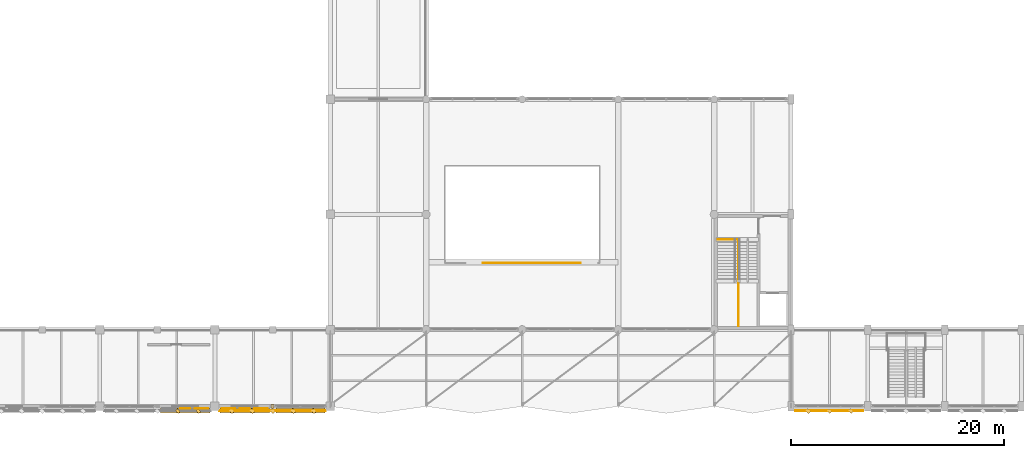
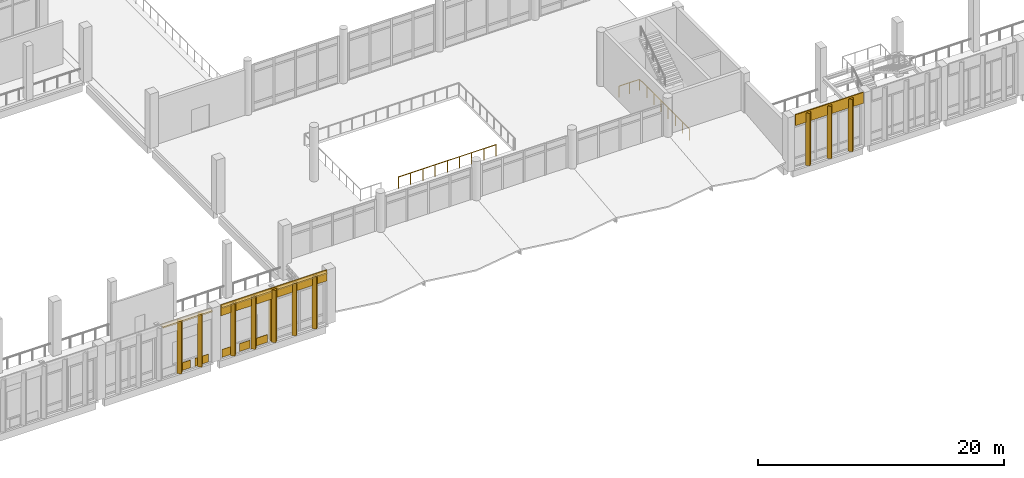
# One storey, part 167 of 180: 21 coverings, 2 railings.
"""IFC4 building model written with IfcOpenShell, lengths in metres."""

from ifc_helpers import new_model, si_unit, direction, frame, origin, origin_2d, place, context, subcontext, project, spatial, rectangle, circle, extrude, material, layer, layer_set, type_object, element, save


model = new_model("IFC4")

# Units and contexts
model_context = context("Model", 3, precision=1e-05, world=origin(), true_north=direction((0.0, 1.0)))
body_context = subcontext(model_context, "Body", "Model", "MODEL_VIEW")
ifc_project = project(units=[si_unit("LENGTHUNIT", "METRE"), si_unit("AREAUNIT", "SQUARE_METRE"), si_unit("VOLUMEUNIT", "CUBIC_METRE"), si_unit("PLANEANGLEUNIT", "RADIAN"), si_unit("MASSUNIT", "GRAM", prefix="KILO")], contexts=[model_context])

# Site, building, storey
site_placement = place(None, origin())
site = spatial("IfcSite", under=ifc_project, at=site_placement, CompositionType="ELEMENT")
building_placement = place(site_placement, origin())
building = spatial("IfcBuilding", under=site, at=building_placement, Name="Lusvemor Sports Hall", CompositionType="ELEMENT")
storey_placement = place(building_placement, frame((0.0, 0.0, 5.39990234375)))
storey = spatial("IfcBuildingStorey", under=building, at=storey_placement, Name="L01", CompositionType="ELEMENT", Elevation=5.39990234375)

# Coverings
ifc_material_1 = material(Name="Precast granite-faced Concrete C40/50 architectural cladding", Category="masonry")
ifc_layer_1 = layer(ifc_material_1, 0.055908203125)
ifc_layer_set_1 = layer_set([ifc_layer_1], Name="Precast granite-faced Concrete C40/50 architectural cladding")
covering_type_1 = type_object("IfcCoveringType", Name="CLAD_RELIEF_FRIEZE", PredefinedType="CLADDING", material=ifc_layer_set_1)
covering_1_placement = place(storey_placement, frame((70.199951171875, 0.0, 0.0), z_axis=(0.0, 0.0, 1.0), x_axis=(1.0, 0.0, 0.0)))
element("IfcCovering", 1, at=covering_1_placement, inside=storey, type_object=covering_type_1, Name="Boulevard L01 Pilaster Pier Casing S6", PredefinedType="CLADDING", context=body_context, shape_type="SweptSolid", body=[
    extrude(rectangle(XDim=0.27001953125, YDim=0.3798828125, at=origin_2d()), origin(), (0.0, 0.0, 1.0), 4.699951171875),
])
ifc_material_2 = material(Name="Emerald polychrome glazed ceramic cladding on Concrete C40/50 backing", Category="concrete")
ifc_layer_2 = layer(ifc_material_2, 0.0458984375)
ifc_layer_set_2 = layer_set([ifc_layer_2], Name="Emerald polychrome glazed ceramic cladding on Concrete C40/50 backing")
covering_type_2 = type_object("IfcCoveringType", Name="CLAD_WAVE_EMERALD", PredefinedType="CLADDING", material=ifc_layer_set_2)
for number, where, z_axis, x_axis, name in (
    (2, (63.530029296875, -0.1904296875, 0.050048828125), (0.0, 0.0, 1.0), (1.0, 0.0, 0.0), "Art Nouveau Patterned Cladding PS-V1S1-5-2-3"),
    (3, (66.070068359375, -0.1904296875, 0.050048828125), (0.0, 0.0, 1.0), (1.0, 0.0, 0.0), "Art Nouveau Patterned Cladding PS-V1S1-6-1-1"),
    (4, (69.110107421875, -0.1904296875, 0.050048828125), (0.0, 0.0, 1.0), (1.0, 0.0, 0.0), "Art Nouveau Patterned Cladding PS-V1S1-6-1-3"),
):
    element("IfcCovering", number, at=place(storey_placement, frame(where, z_axis=z_axis, x_axis=x_axis)), inside=storey, type_object=covering_type_2, Name=name, PredefinedType="CLADDING", context=body_context, shape_type="SweptSolid", body=[
        extrude(rectangle(XDim=1.246337890625, YDim=0.0458984375, at=origin_2d()), origin(), (0.0, 0.0, 1.0), 0.77001953125),
    ])
for number, where, z_axis, x_axis, name in (
    (5, (61.320068359375, -0.43994140625, 0.10009765625), (0.0, 0.0, 1.0), (0.707106781187, 0.707106781187, 0.0), "Patterned Diamond Cladding Rib 109"),
    (6, (68.280029296875, -0.43994140625, 0.10009765625), (0.0, 0.0, 1.0), (0.707106781187, 0.707106781187, 0.0), "Patterned Diamond Cladding Rib 125"),
    (7, (72.1201171875, -0.43994140625, 0.10009765625), (0.0, 0.0, 1.0), (0.707106781187, 0.707106781187, 0.0), "Patterned Diamond Cladding Rib 127"),
    (8, (122.39990234375, -0.43994140625, 0.10009765625), (0.0, 0.0, 1.0), (0.707106781187, 0.707106781187, 0.0), "Patterned Diamond Cladding Rib 150"),
):
    element("IfcCovering", number, at=place(storey_placement, frame(where, z_axis=z_axis, x_axis=x_axis)), inside=storey, type_object=covering_type_2, Name=name, PredefinedType="CLADDING", context=body_context, shape_type="SweptSolid", body=[
        extrude(rectangle(XDim=0.280029296875, YDim=0.3798828125, at=origin_2d()), origin(), (0.0, 0.0, 1.0), 5.199951171875),
    ])
ifc_material_3 = material(Name="Warm terracotta Art Nouveau ceramic cladding on Concrete C40/50 backing", Category="masonry")
ifc_layer_3 = layer(ifc_material_3, 0.0380859375)
ifc_layer_set_3 = layer_set([ifc_layer_3], Name="Warm terracotta Art Nouveau ceramic cladding on Concrete C40/50 backing")
covering_type_3 = type_object("IfcCoveringType", Name="CLAD_WAVE_OCHRE", PredefinedType="CLADDING", material=ifc_layer_set_3)
for number, where, z_axis, x_axis, name in (
    (9, (62.010009765625, -0.1865234375, 0.050048828125), (0.0, 0.0, 1.0), (1.0, 0.0, 0.0), "Art Nouveau Patterned Cladding PS-V1S1-5-2-2"),
    (10, (67.590087890625, -0.1865234375, 0.050048828125), (0.0, 0.0, 1.0), (1.0, 0.0, 0.0), "Art Nouveau Patterned Cladding PS-V1S1-6-1-2"),
):
    element("IfcCovering", number, at=place(storey_placement, frame(where, z_axis=z_axis, x_axis=x_axis)), inside=storey, type_object=covering_type_3, Name=name, PredefinedType="CLADDING", context=body_context, shape_type="SweptSolid", body=[
        extrude(rectangle(XDim=0.972900390625, YDim=0.0380859375, at=origin_2d()), origin(), (0.0, 0.0, 1.0), 0.77001953125),
    ])
covering_2_placement = place(storey_placement, frame((70.199951171875, -0.389892578125, 4.380126953125), z_axis=(0.0, 0.0, 1.0), x_axis=(1.0, 0.0, 0.0)))
element("IfcCovering", 11, at=covering_2_placement, inside=storey, type_object=covering_type_3, Name="Art Nouveau Spandrel Cornice 123", PredefinedType="CLADDING", context=body_context, shape_type="SweptSolid", body=[
    extrude(rectangle(XDim=9.97998046875, YDim=0.090087890625, at=origin_2d()), origin(), (0.0, 0.0, 1.0), 1.080078125),
])
covering_3_placement = place(storey_placement, frame((122.39990234375, -0.389892578125, 4.380126953125), z_axis=(0.0, 0.0, 1.0), x_axis=(1.0, 0.0, 0.0)))
element("IfcCovering", 12, at=covering_3_placement, inside=storey, type_object=covering_type_3, Name="Art Nouveau Spandrel Cornice 148", PredefinedType="CLADDING", context=body_context, shape_type="SweptSolid", body=[
    extrude(rectangle(XDim=6.3798828125, YDim=0.090087890625, at=origin_2d()), origin(), (0.0, 0.0, 1.0), 1.080078125),
])
ifc_material_4 = material(Name="Warm terracotta Art Nouveau ceramic cladding on Concrete C40/50 backing", Category="masonry")
ifc_layer_4 = layer(ifc_material_4, 0.449951171875)
ifc_layer_set_4 = layer_set([ifc_layer_4], Name="Warm terracotta Art Nouveau ceramic cladding on Concrete C40/50 backing")
covering_type_4 = type_object("IfcCoveringType", Name="FIN_BRISE_CER_450", PredefinedType="MOLDING", material=ifc_layer_set_4)
for number, where, z_axis, x_axis, name in (
    (13, (62.010009765625, -0.3798828125, 5.18017578125), (0.0, 0.0, 1.0), (1.0, 0.0, 0.0), "Boulevard Coastal Sun Hood S-5.2"),
    (14, (67.590087890625, -0.3798828125, 5.18017578125), (0.0, 0.0, 1.0), (1.0, 0.0, 0.0), "Boulevard Coastal Sun Hood S-6.1"),
    (15, (72.81005859375, -0.3798828125, 5.18017578125), (0.0, 0.0, 1.0), (1.0, 0.0, 0.0), "Boulevard Coastal Sun Hood S-6.2"),
):
    element("IfcCovering", number, at=place(storey_placement, frame(where, z_axis=z_axis, x_axis=x_axis)), inside=storey, type_object=covering_type_4, Name=name, PredefinedType="MOLDING", context=body_context, shape_type="SweptSolid", body=[
        extrude(rectangle(XDim=4.6201171875, YDim=0.449951171875, at=origin_2d()), origin(), (0.0, 0.0, 1.0), 0.139892578125),
    ])
for number, where, z_axis, x_axis, name in (
    (16, (63.239990234375, -0.43994140625, 0.10009765625), (0.0, 0.0, 1.0), (0.707106781187, 0.707106781187, 0.0), "Patterned Diamond Cladding Rib 110"),
    (17, (66.360107421875, -0.43994140625, 0.10009765625), (0.0, 0.0, 1.0), (0.707106781187, 0.707106781187, 0.0), "Patterned Diamond Cladding Rib 124"),
    (18, (70.199951171875, -0.43994140625, 0.10009765625), (0.0, 0.0, 1.0), (0.707106781187, 0.707106781187, 0.0), "Patterned Diamond Cladding Rib 126"),
    (19, (74.0400390625, -0.43994140625, 0.10009765625), (0.0, 0.0, 1.0), (0.707106781187, 0.707106781187, 0.0), "Patterned Diamond Cladding Rib 128"),
    (20, (120.39990234375, -0.43994140625, 0.10009765625), (0.0, 0.0, 1.0), (0.707106781187, 0.707106781187, 0.0), "Patterned Diamond Cladding Rib 149"),
    (21, (124.39990234375, -0.43994140625, 0.10009765625), (0.0, 0.0, 1.0), (0.707106781187, 0.707106781187, 0.0), "Patterned Diamond Cladding Rib 151"),
):
    element("IfcCovering", number, at=place(storey_placement, frame(where, z_axis=z_axis, x_axis=x_axis)), inside=storey, type_object=covering_type_4, Name=name, PredefinedType="MOLDING", context=body_context, shape_type="SweptSolid", body=[
        extrude(rectangle(XDim=0.280029296875, YDim=0.3798828125, at=origin_2d()), origin(), (0.0, 0.0, 1.0), 5.199951171875),
    ])

# Railings
ifc_material_5 = material(Name="Bronze-finished wrought-steel Art Nouveau balustrade", Category="steel")
railing_type_1 = type_object("IfcRailingType", Name="RAIL_ATRIUM_BAL_115", PredefinedType="BALUSTRADE", material=ifc_material_5)
railing_1_placement = place(storey_placement, frame((89.909912109375, 13.449951171875, 0.0)))
element("IfcRailing", 22, at=railing_1_placement, inside=storey, type_object=railing_type_1, Name="Foyer Atrium South Bridge Balustrade", PredefinedType="BALUSTRADE", context=body_context, shape_type="SweptSolid", body=[
    extrude(circle(Radius=0.02392578125, at=origin_2d()), frame((0.0, 0.0, 1.1259765625), z_axis=(1.0, 0.0, 0.0), x_axis=(0.0, 1.0, 0.0)), (0.0, 0.0, 1.0), 9.18017578125),
    extrude(circle(Radius=0.02099609375, at=origin_2d()), origin(), (0.0, 0.0, 1.0), 1.101806640625),
    extrude(circle(Radius=0.02099609375, at=origin_2d()), frame((1.1474609375, 0.0, 0.0)), (0.0, 0.0, 1.0), 1.101806640625),
    extrude(circle(Radius=0.02099609375, at=origin_2d()), frame((2.294921875, 0.0, 0.0)), (0.0, 0.0, 1.0), 1.101806640625),
    extrude(circle(Radius=0.02099609375, at=origin_2d()), frame((3.442626953125, 0.0, 0.0)), (0.0, 0.0, 1.0), 1.101806640625),
    extrude(circle(Radius=0.02099609375, at=origin_2d()), frame((4.590087890625, 0.0, 0.0)), (0.0, 0.0, 1.0), 1.101806640625),
    extrude(circle(Radius=0.02099609375, at=origin_2d()), frame((5.737548828125, 0.0, 0.0)), (0.0, 0.0, 1.0), 1.101806640625),
    extrude(circle(Radius=0.02099609375, at=origin_2d()), frame((6.88525390625, 0.0, 0.0)), (0.0, 0.0, 1.0), 1.101806640625),
    extrude(circle(Radius=0.02099609375, at=origin_2d()), frame((8.03271484375, 0.0, 0.0)), (0.0, 0.0, 1.0), 1.101806640625),
    extrude(circle(Radius=0.02099609375, at=origin_2d()), frame((9.18017578125, 0.0, 0.0)), (0.0, 0.0, 1.0), 1.101806640625),
])
ifc_material_6 = material(Name="Bronze-finished wrought-steel Art Nouveau balustrade", Category="steel")
railing_type_2 = type_object("IfcRailingType", Name="RAIL_STAIR_GUARD_112", PredefinedType="GUARDRAIL", material=ifc_material_6)
railing_2_placement = place(storey_placement, frame((111.93994140625, 15.669921875, 0.0)))
element("IfcRailing", 23, at=railing_2_placement, inside=storey, type_object=railing_type_2, Name="Stairwell C7 Top Guard (L01)", PredefinedType="GUARDRAIL", context=body_context, shape_type="SweptSolid", body=[
    extrude(circle(Radius=0.02392578125, at=origin_2d()), frame((0.0, 0.0, 1.09619140625), z_axis=(1.0, 0.0, 0.0), x_axis=(0.0, 1.0, 0.0)), (0.0, 0.0, 1.0), 1.920166015625),
    extrude(circle(Radius=0.02392578125, at=origin_2d()), frame((1.920166015625, 0.0, 1.09619140625), z_axis=(0.0, -1.0, 0.0), x_axis=(1.0, 0.0, 0.0)), (0.0, 0.0, 1.0), 8.1298828125),
    extrude(circle(Radius=0.02099609375, at=origin_2d()), origin(), (0.0, 0.0, 1.0), 1.072021484375),
    extrude(circle(Radius=0.02099609375, at=origin_2d()), frame((0.9599609375, 0.0, 0.0)), (0.0, 0.0, 1.0), 1.072021484375),
    extrude(circle(Radius=0.02099609375, at=origin_2d()), frame((1.920166015625, 0.0, 0.0)), (0.0, 0.0, 1.0), 1.072021484375),
    extrude(circle(Radius=0.02099609375, at=origin_2d()), frame((1.920166015625, -1.161376953125, 0.0)), (0.0, 0.0, 1.0), 1.072021484375),
    extrude(circle(Radius=0.02099609375, at=origin_2d()), frame((1.920166015625, -2.32275390625, 0.0)), (0.0, 0.0, 1.0), 1.072021484375),
    extrude(circle(Radius=0.02099609375, at=origin_2d()), frame((1.920166015625, -3.484130859375, 0.0)), (0.0, 0.0, 1.0), 1.072021484375),
    extrude(circle(Radius=0.02099609375, at=origin_2d()), frame((1.920166015625, -4.645751953125, 0.0)), (0.0, 0.0, 1.0), 1.072021484375),
    extrude(circle(Radius=0.02099609375, at=origin_2d()), frame((1.920166015625, -5.80712890625, 0.0)), (0.0, 0.0, 1.0), 1.072021484375),
    extrude(circle(Radius=0.02099609375, at=origin_2d()), frame((1.920166015625, -6.968505859375, 0.0)), (0.0, 0.0, 1.0), 1.072021484375),
    extrude(circle(Radius=0.02099609375, at=origin_2d()), frame((1.920166015625, -8.1298828125, 0.0)), (0.0, 0.0, 1.0), 1.072021484375),
])

save(model, "model.ifc")
